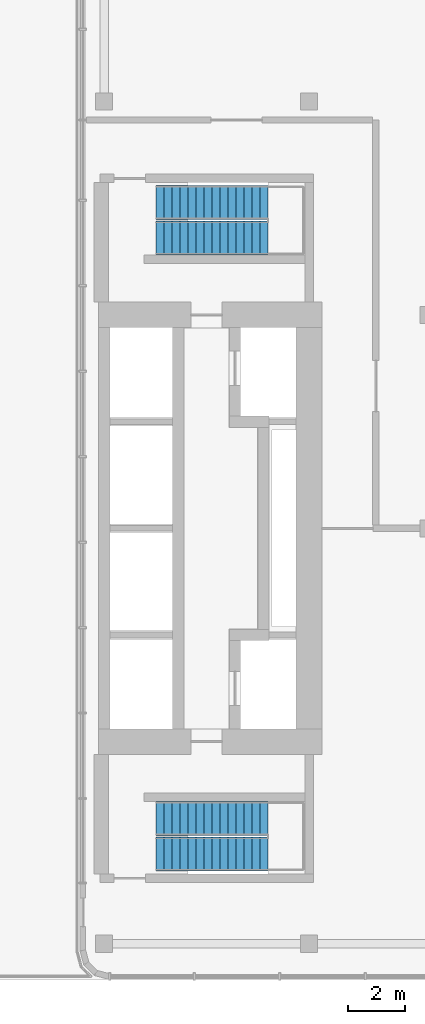
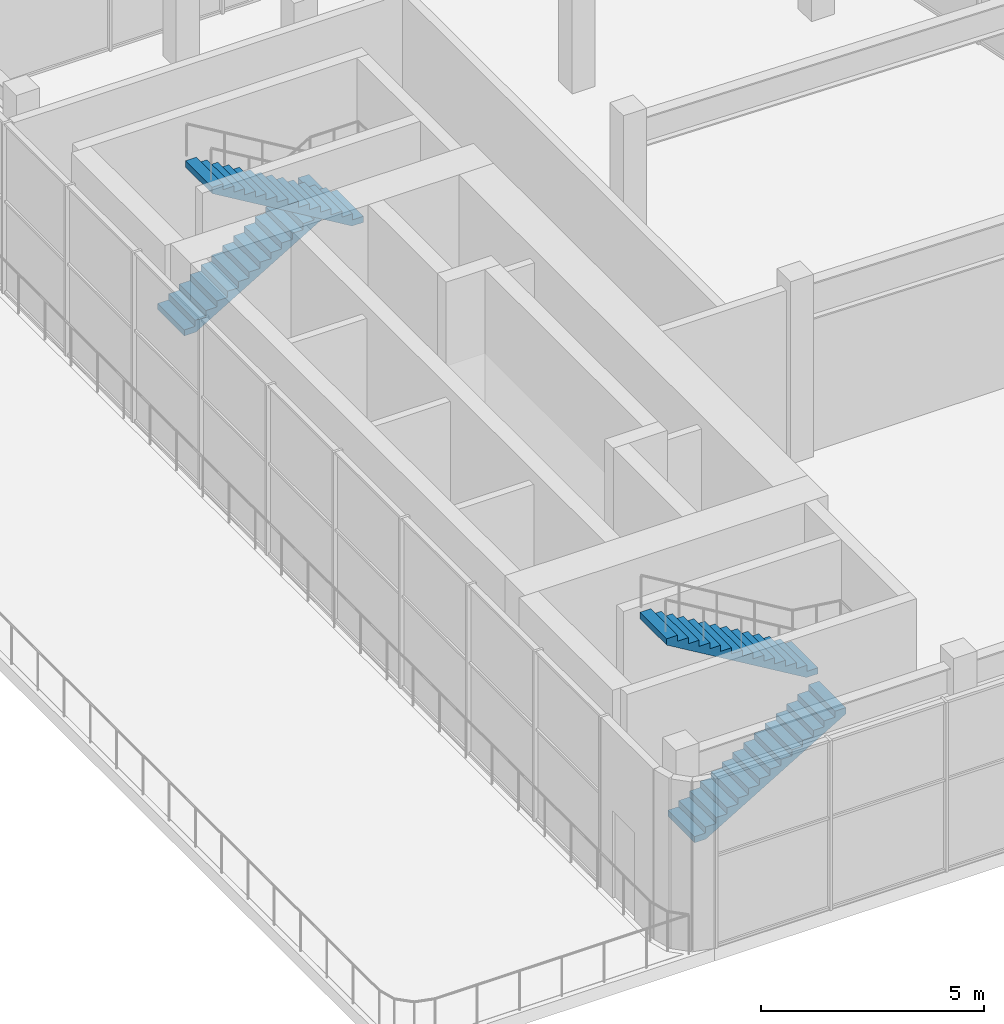
# One storey, part 7 of 8: 4 stair flights, 2 elements without a shape of their own.
"""IFC4 building model written with IfcOpenShell, lengths in metres."""

from ifc_helpers import new_model, si_unit, direction, frame, origin, place, context, subcontext, project, spatial, triangles, material, type_object, element, aggregate, save


model = new_model("IFC4")

# Units and contexts
model_context = context("Model", 3, precision=1e-05, world=origin(), true_north=direction((0.0, 1.0)))
body_context = subcontext(model_context, "Body", "Model", "MODEL_VIEW")
ifc_project = project(units=[si_unit("LENGTHUNIT", "METRE"), si_unit("AREAUNIT", "SQUARE_METRE"), si_unit("VOLUMEUNIT", "CUBIC_METRE"), si_unit("PLANEANGLEUNIT", "RADIAN"), si_unit("MASSUNIT", "GRAM", prefix="KILO")], contexts=[model_context])

# Site, building, storey
site_placement = place(None, origin())
site = spatial("IfcSite", under=ifc_project, at=site_placement, CompositionType="ELEMENT")
building_placement = place(site_placement, origin())
building = spatial("IfcBuilding", under=site, at=building_placement, Name="Sheger Commons Tower", CompositionType="ELEMENT")
storey_placement = place(building_placement, frame((0.0, 0.0, 296.60009765625)))
storey = spatial("IfcBuildingStorey", under=building, at=storey_placement, Name="L76", CompositionType="ELEMENT", Elevation=296.60009765625)

# Stair, stair flights
ifc_material_1 = material(Name="Concrete C35/45", Category="concrete")
stair_type = type_object("IfcStairType", Name="HALF-TURN STAIR 1200 RISE 5000", PredefinedType="HALF_TURN_STAIR", material=ifc_material_1)
stair_1_placement = place(storey_placement, origin())
stair_1 = element("IfcStair", 1, at=stair_1_placement, inside=storey, type_object=stair_type, Name="Stair S1 L76", PredefinedType="HALF_TURN_STAIR")
ifc_material_2 = material(Name="Concrete C35/45", Category="concrete")
stair_flight_type = type_object("IfcStairFlightType", Name="STAIR FLIGHT 1200 15 RISERS OF 167", PredefinedType="STRAIGHT", material=ifc_material_2)
stair_flight_1_placement = place(storey_placement, frame((23.429931640625, 11.050048828125, 0.0), z_axis=(0.0, 0.0, 1.0), x_axis=(1.0, 0.0, 0.0)))
stair_flight_1 = element("IfcStairFlight", 2, at=stair_flight_1_placement, type_object=stair_flight_type, Name="S1 flight 1", NumberOfRisers=15, NumberOfTreads=14, PredefinedType="STRAIGHT", RiserHeight=0.166666667, TreadLength=0.28, context=body_context, shape_type="Tessellation", body=[
    triangles([(0.0, 0.5999755859375, 0.0), (0.0, 0.5999755859375, 0.166748046875), (0.280029296875, 0.5999755859375, 0.166748046875), (0.280029296875, 0.5999755859375, 0.333251953125), (0.56005859375, 0.5999755859375, 0.333251953125), (0.56005859375, 0.5999755859375, 0.5), (0.840087890625, 0.5999755859375, 0.5), (0.840087890625, 0.5999755859375, 0.666748046875), (1.1201171875, 0.5999755859375, 0.666748046875), (1.1201171875, 0.5999755859375, 0.833251953125), (1.39990234375, 0.5999755859375, 0.833251953125), (1.39990234375, 0.5999755859375, 1.0), (1.679931640625, 0.5999755859375, 1.0), (1.679931640625, 0.5999755859375, 1.166748046875), (1.9599609375, 0.5999755859375, 1.166748046875), (1.9599609375, 0.5999755859375, 1.333251953125), (2.239990234375, 0.5999755859375, 1.333251953125), (2.239990234375, 0.5999755859375, 1.5), (2.52001953125, 0.5999755859375, 1.5), (2.52001953125, 0.5999755859375, 1.666748046875), (2.800048828125, 0.5999755859375, 1.666748046875), (2.800048828125, 0.5999755859375, 1.833251953125), (3.080078125, 0.5999755859375, 1.833251953125), (3.080078125, 0.5999755859375, 2.0), (3.360107421875, 0.5999755859375, 2.0), (3.360107421875, 0.5999755859375, 2.166748046875), (3.639892578125, 0.5999755859375, 2.166748046875), (3.639892578125, 0.5999755859375, 2.333251953125), (3.919921875, 0.5999755859375, 2.333251953125), (3.919921875, 0.5999755859375, 2.158935546875), (0.29296875, 0.5999755859375, 0.0), (0.0, -0.5999755859375, 0.0), (0.0, -0.5999755859375, 0.166748046875), (0.280029296875, -0.5999755859375, 0.166748046875), (0.280029296875, -0.5999755859375, 0.333251953125), (0.56005859375, -0.5999755859375, 0.333251953125), (0.56005859375, -0.5999755859375, 0.5), (0.840087890625, -0.5999755859375, 0.5), (0.840087890625, -0.5999755859375, 0.666748046875), (1.1201171875, -0.5999755859375, 0.666748046875), (1.1201171875, -0.5999755859375, 0.833251953125), (1.39990234375, -0.5999755859375, 0.833251953125), (1.39990234375, -0.5999755859375, 1.0), (1.679931640625, -0.5999755859375, 1.0), (1.679931640625, -0.5999755859375, 1.166748046875), (1.9599609375, -0.5999755859375, 1.166748046875), (1.9599609375, -0.5999755859375, 1.333251953125), (2.239990234375, -0.5999755859375, 1.333251953125), (2.239990234375, -0.5999755859375, 1.5), (2.52001953125, -0.5999755859375, 1.5), (2.52001953125, -0.5999755859375, 1.666748046875), (2.800048828125, -0.5999755859375, 1.666748046875), (2.800048828125, -0.5999755859375, 1.833251953125), (3.080078125, -0.5999755859375, 1.833251953125), (3.080078125, -0.5999755859375, 2.0), (3.360107421875, -0.5999755859375, 2.0), (3.360107421875, -0.5999755859375, 2.166748046875), (3.639892578125, -0.5999755859375, 2.166748046875), (3.639892578125, -0.5999755859375, 2.333251953125), (3.919921875, -0.5999755859375, 2.333251953125), (3.919921875, -0.5999755859375, 2.158935546875), (0.29296875, -0.5999755859375, 0.0), (0.0, 0.0, 0.0833740234375), (0.1400146484375, 0.0, 0.166748046875), (0.280029296875, 0.0, 0.25), (0.4200439453125, 0.0, 0.333251953125), (0.56005859375, 0.0, 0.4166259765625), (0.7000732421875, 0.0, 0.5), (0.840087890625, 0.0, 0.5833740234375), (0.9801025390625, 0.0, 0.666748046875), (1.1201171875, 0.0, 0.75), (1.260009765625, 0.0, 0.833251953125), (1.39990234375, 0.0, 0.9166259765625), (1.5399169921875, 0.0, 1.0), (1.679931640625, 0.0, 1.0833740234375), (1.8199462890625, 0.0, 1.166748046875), (1.9599609375, 0.0, 1.25), (2.0999755859375, 0.0, 1.333251953125), (2.239990234375, 0.0, 1.4166259765625), (2.3800048828125, 0.0, 1.5), (2.52001953125, 0.0, 1.5833740234375), (2.6600341796875, 0.0, 1.666748046875), (2.800048828125, 0.0, 1.75), (2.9400634765625, 0.0, 1.833251953125), (3.080078125, 0.0, 1.9166259765625), (3.2200927734375, 0.0, 2.0), (3.360107421875, 0.0, 2.0833740234375), (3.5, 0.0, 2.166748046875), (3.639892578125, 0.0, 2.25), (3.7799072265625, 0.0, 2.333251953125), (3.919921875, 0.0, 2.24609375), (2.1064453125, 0.0, 1.0794677734375), (0.146484375, 0.0, 0.0)], [[1, 30, 31], [32, 62, 61], [30, 28, 29], [61, 60, 59], [30, 27, 28], [61, 59, 58], [30, 26, 27], [61, 58, 57], [30, 25, 26], [61, 57, 56], [25, 23, 24], [56, 55, 54], [30, 23, 25], [61, 56, 54], [23, 21, 22], [54, 53, 52], [30, 21, 23], [61, 54, 52], [21, 19, 20], [52, 51, 50], [30, 19, 21], [61, 52, 50], [19, 17, 18], [50, 49, 48], [30, 17, 19], [61, 50, 48], [17, 15, 16], [48, 47, 46], [30, 15, 17], [61, 48, 46], [15, 13, 14], [46, 45, 44], [30, 13, 15], [61, 46, 44], [13, 11, 12], [44, 43, 42], [30, 11, 13], [61, 44, 42], [11, 9, 10], [42, 41, 40], [30, 9, 11], [61, 42, 40], [9, 7, 8], [40, 39, 38], [30, 7, 9], [61, 40, 38], [7, 5, 6], [38, 37, 36], [30, 5, 7], [61, 38, 36], [1, 5, 30], [32, 61, 36], [5, 3, 4], [36, 35, 34], [1, 3, 5], [32, 36, 34], [3, 1, 2], [34, 33, 32], [1, 63, 2], [2, 63, 33], [33, 63, 32], [32, 63, 1], [2, 64, 3], [3, 64, 34], [34, 64, 33], [33, 64, 2], [3, 65, 4], [4, 65, 35], [35, 65, 34], [34, 65, 3], [4, 66, 5], [5, 66, 36], [36, 66, 35], [35, 66, 4], [5, 67, 6], [6, 67, 37], [37, 67, 36], [36, 67, 5], [6, 68, 7], [7, 68, 38], [38, 68, 37], [37, 68, 6], [7, 69, 8], [8, 69, 39], [39, 69, 38], [38, 69, 7], [8, 70, 9], [9, 70, 40], [40, 70, 39], [39, 70, 8], [9, 71, 10], [10, 71, 41], [41, 71, 40], [40, 71, 9], [10, 72, 11], [11, 72, 42], [42, 72, 41], [41, 72, 10], [11, 73, 12], [12, 73, 43], [43, 73, 42], [42, 73, 11], [12, 74, 13], [13, 74, 44], [44, 74, 43], [43, 74, 12], [13, 75, 14], [14, 75, 45], [45, 75, 44], [44, 75, 13], [14, 76, 15], [15, 76, 46], [46, 76, 45], [45, 76, 14], [15, 77, 16], [16, 77, 47], [47, 77, 46], [46, 77, 15], [16, 78, 17], [17, 78, 48], [48, 78, 47], [47, 78, 16], [17, 79, 18], [18, 79, 49], [49, 79, 48], [48, 79, 17], [18, 80, 19], [19, 80, 50], [50, 80, 49], [49, 80, 18], [19, 81, 20], [20, 81, 51], [51, 81, 50], [50, 81, 19], [20, 82, 21], [21, 82, 52], [52, 82, 51], [51, 82, 20], [21, 83, 22], [22, 83, 53], [53, 83, 52], [52, 83, 21], [22, 84, 23], [23, 84, 54], [54, 84, 53], [53, 84, 22], [23, 85, 24], [24, 85, 55], [55, 85, 54], [54, 85, 23], [24, 86, 25], [25, 86, 56], [56, 86, 55], [55, 86, 24], [25, 87, 26], [26, 87, 57], [57, 87, 56], [56, 87, 25], [26, 88, 27], [27, 88, 58], [58, 88, 57], [57, 88, 26], [27, 89, 28], [28, 89, 59], [59, 89, 58], [58, 89, 27], [28, 90, 29], [29, 90, 60], [60, 90, 59], [59, 90, 28], [29, 91, 30], [30, 91, 61], [61, 91, 60], [60, 91, 29], [30, 92, 31], [31, 92, 62], [62, 92, 61], [61, 92, 30], [31, 93, 1], [1, 93, 32], [32, 93, 62], [62, 93, 31]], closed=True),
])
stair_flight_2_placement = place(storey_placement, frame((27.35009765625, 12.300048828125, 2.5), z_axis=(0.0, 0.0, 1.0), x_axis=(-1.0, 0.0, 0.0)))
stair_flight_2 = element("IfcStairFlight", 3, at=stair_flight_2_placement, type_object=stair_flight_type, Name="S1 flight 2", NumberOfRisers=15, NumberOfTreads=14, PredefinedType="STRAIGHT", RiserHeight=0.166666667, TreadLength=0.28, context=body_context, shape_type="Tessellation", body=[
    triangles([(0.0, 0.5999755859375, 0.0), (0.0, 0.5999755859375, 0.166748046875), (0.280029296875, 0.5999755859375, 0.166748046875), (0.280029296875, 0.5999755859375, 0.333251953125), (0.56005859375, 0.5999755859375, 0.333251953125), (0.56005859375, 0.5999755859375, 0.5), (0.840087890625, 0.5999755859375, 0.5), (0.840087890625, 0.5999755859375, 0.666748046875), (1.1201171875, 0.5999755859375, 0.666748046875), (1.1201171875, 0.5999755859375, 0.833251953125), (1.39990234375, 0.5999755859375, 0.833251953125), (1.39990234375, 0.5999755859375, 1.0), (1.679931640625, 0.5999755859375, 1.0), (1.679931640625, 0.5999755859375, 1.166748046875), (1.9599609375, 0.5999755859375, 1.166748046875), (1.9599609375, 0.5999755859375, 1.333251953125), (2.239990234375, 0.5999755859375, 1.333251953125), (2.239990234375, 0.5999755859375, 1.5), (2.52001953125, 0.5999755859375, 1.5), (2.52001953125, 0.5999755859375, 1.666748046875), (2.800048828125, 0.5999755859375, 1.666748046875), (2.800048828125, 0.5999755859375, 1.833251953125), (3.080078125, 0.5999755859375, 1.833251953125), (3.080078125, 0.5999755859375, 2.0), (3.360107421875, 0.5999755859375, 2.0), (3.360107421875, 0.5999755859375, 2.166748046875), (3.639892578125, 0.5999755859375, 2.166748046875), (3.639892578125, 0.5999755859375, 2.333251953125), (3.919921875, 0.5999755859375, 2.333251953125), (3.919921875, 0.5999755859375, 2.158935546875), (0.29296875, 0.5999755859375, 0.0), (0.0, -0.5999755859375, 0.0), (0.0, -0.5999755859375, 0.166748046875), (0.280029296875, -0.5999755859375, 0.166748046875), (0.280029296875, -0.5999755859375, 0.333251953125), (0.56005859375, -0.5999755859375, 0.333251953125), (0.56005859375, -0.5999755859375, 0.5), (0.840087890625, -0.5999755859375, 0.5), (0.840087890625, -0.5999755859375, 0.666748046875), (1.1201171875, -0.5999755859375, 0.666748046875), (1.1201171875, -0.5999755859375, 0.833251953125), (1.39990234375, -0.5999755859375, 0.833251953125), (1.39990234375, -0.5999755859375, 1.0), (1.679931640625, -0.5999755859375, 1.0), (1.679931640625, -0.5999755859375, 1.166748046875), (1.9599609375, -0.5999755859375, 1.166748046875), (1.9599609375, -0.5999755859375, 1.333251953125), (2.239990234375, -0.5999755859375, 1.333251953125), (2.239990234375, -0.5999755859375, 1.5), (2.52001953125, -0.5999755859375, 1.5), (2.52001953125, -0.5999755859375, 1.666748046875), (2.800048828125, -0.5999755859375, 1.666748046875), (2.800048828125, -0.5999755859375, 1.833251953125), (3.080078125, -0.5999755859375, 1.833251953125), (3.080078125, -0.5999755859375, 2.0), (3.360107421875, -0.5999755859375, 2.0), (3.360107421875, -0.5999755859375, 2.166748046875), (3.639892578125, -0.5999755859375, 2.166748046875), (3.639892578125, -0.5999755859375, 2.333251953125), (3.919921875, -0.5999755859375, 2.333251953125), (3.919921875, -0.5999755859375, 2.158935546875), (0.29296875, -0.5999755859375, 0.0), (0.0, 0.0, 0.0833740234375), (0.1400146484375, 0.0, 0.166748046875), (0.280029296875, 0.0, 0.25), (0.4200439453125, 0.0, 0.333251953125), (0.56005859375, 0.0, 0.4166259765625), (0.7000732421875, 0.0, 0.5), (0.840087890625, 0.0, 0.5833740234375), (0.9801025390625, 0.0, 0.666748046875), (1.1201171875, 0.0, 0.75), (1.260009765625, 0.0, 0.833251953125), (1.39990234375, 0.0, 0.9166259765625), (1.5399169921875, 0.0, 1.0), (1.679931640625, 0.0, 1.0833740234375), (1.8199462890625, 0.0, 1.166748046875), (1.9599609375, 0.0, 1.25), (2.0999755859375, 0.0, 1.333251953125), (2.239990234375, 0.0, 1.4166259765625), (2.3800048828125, 0.0, 1.5), (2.52001953125, 0.0, 1.5833740234375), (2.6600341796875, 0.0, 1.666748046875), (2.800048828125, 0.0, 1.75), (2.9400634765625, 0.0, 1.833251953125), (3.080078125, 0.0, 1.9166259765625), (3.2200927734375, 0.0, 2.0), (3.360107421875, 0.0, 2.0833740234375), (3.5, 0.0, 2.166748046875), (3.639892578125, 0.0, 2.25), (3.7799072265625, 0.0, 2.333251953125), (3.919921875, 0.0, 2.24609375), (2.1064453125, 0.0, 1.0794677734375), (0.146484375, 0.0, 0.0)], [[1, 30, 31], [32, 62, 61], [30, 28, 29], [61, 60, 59], [30, 27, 28], [61, 59, 58], [30, 26, 27], [61, 58, 57], [30, 25, 26], [61, 57, 56], [25, 23, 24], [56, 55, 54], [30, 23, 25], [61, 56, 54], [23, 21, 22], [54, 53, 52], [30, 21, 23], [61, 54, 52], [21, 19, 20], [52, 51, 50], [30, 19, 21], [61, 52, 50], [19, 17, 18], [50, 49, 48], [30, 17, 19], [61, 50, 48], [17, 15, 16], [48, 47, 46], [30, 15, 17], [61, 48, 46], [15, 13, 14], [46, 45, 44], [30, 13, 15], [61, 46, 44], [13, 11, 12], [44, 43, 42], [30, 11, 13], [61, 44, 42], [11, 9, 10], [42, 41, 40], [30, 9, 11], [61, 42, 40], [9, 7, 8], [40, 39, 38], [30, 7, 9], [61, 40, 38], [7, 5, 6], [38, 37, 36], [30, 5, 7], [61, 38, 36], [1, 5, 30], [32, 61, 36], [5, 3, 4], [36, 35, 34], [1, 3, 5], [32, 36, 34], [3, 1, 2], [34, 33, 32], [1, 63, 2], [2, 63, 33], [33, 63, 32], [32, 63, 1], [2, 64, 3], [3, 64, 34], [34, 64, 33], [33, 64, 2], [3, 65, 4], [4, 65, 35], [35, 65, 34], [34, 65, 3], [4, 66, 5], [5, 66, 36], [36, 66, 35], [35, 66, 4], [5, 67, 6], [6, 67, 37], [37, 67, 36], [36, 67, 5], [6, 68, 7], [7, 68, 38], [38, 68, 37], [37, 68, 6], [7, 69, 8], [8, 69, 39], [39, 69, 38], [38, 69, 7], [8, 70, 9], [9, 70, 40], [40, 70, 39], [39, 70, 8], [9, 71, 10], [10, 71, 41], [41, 71, 40], [40, 71, 9], [10, 72, 11], [11, 72, 42], [42, 72, 41], [41, 72, 10], [11, 73, 12], [12, 73, 43], [43, 73, 42], [42, 73, 11], [12, 74, 13], [13, 74, 44], [44, 74, 43], [43, 74, 12], [13, 75, 14], [14, 75, 45], [45, 75, 44], [44, 75, 13], [14, 76, 15], [15, 76, 46], [46, 76, 45], [45, 76, 14], [15, 77, 16], [16, 77, 47], [47, 77, 46], [46, 77, 15], [16, 78, 17], [17, 78, 48], [48, 78, 47], [47, 78, 16], [17, 79, 18], [18, 79, 49], [49, 79, 48], [48, 79, 17], [18, 80, 19], [19, 80, 50], [50, 80, 49], [49, 80, 18], [19, 81, 20], [20, 81, 51], [51, 81, 50], [50, 81, 19], [20, 82, 21], [21, 82, 52], [52, 82, 51], [51, 82, 20], [21, 83, 22], [22, 83, 53], [53, 83, 52], [52, 83, 21], [22, 84, 23], [23, 84, 54], [54, 84, 53], [53, 84, 22], [23, 85, 24], [24, 85, 55], [55, 85, 54], [54, 85, 23], [24, 86, 25], [25, 86, 56], [56, 86, 55], [55, 86, 24], [25, 87, 26], [26, 87, 57], [57, 87, 56], [56, 87, 25], [26, 88, 27], [27, 88, 58], [58, 88, 57], [57, 88, 26], [27, 89, 28], [28, 89, 59], [59, 89, 58], [58, 89, 27], [28, 90, 29], [29, 90, 60], [60, 90, 59], [59, 90, 28], [29, 91, 30], [30, 91, 61], [61, 91, 60], [60, 91, 29], [30, 92, 31], [31, 92, 62], [62, 92, 61], [61, 92, 30], [31, 93, 1], [1, 93, 32], [32, 93, 62], [62, 93, 31]], closed=True),
])
aggregate(stair_1, [stair_flight_1, stair_flight_2])

stair_2_placement = place(storey_placement, origin())
stair_2 = element("IfcStair", 4, at=stair_2_placement, inside=storey, type_object=stair_type, Name="Stair S2 L76", PredefinedType="HALF_TURN_STAIR")
stair_flight_3_placement = place(storey_placement, frame((23.429931640625, 33.949951171875, 0.0), z_axis=(0.0, 0.0, 1.0), x_axis=(1.0, 0.0, 0.0)))
stair_flight_3 = element("IfcStairFlight", 5, at=stair_flight_3_placement, type_object=stair_flight_type, Name="S2 flight 1", NumberOfRisers=15, NumberOfTreads=14, PredefinedType="STRAIGHT", RiserHeight=0.166666667, TreadLength=0.28, context=body_context, shape_type="Tessellation", body=[
    triangles([(0.0, 0.5999755859375, 0.0), (0.0, 0.5999755859375, 0.166748046875), (0.280029296875, 0.5999755859375, 0.166748046875), (0.280029296875, 0.5999755859375, 0.333251953125), (0.56005859375, 0.5999755859375, 0.333251953125), (0.56005859375, 0.5999755859375, 0.5), (0.840087890625, 0.5999755859375, 0.5), (0.840087890625, 0.5999755859375, 0.666748046875), (1.1201171875, 0.5999755859375, 0.666748046875), (1.1201171875, 0.5999755859375, 0.833251953125), (1.39990234375, 0.5999755859375, 0.833251953125), (1.39990234375, 0.5999755859375, 1.0), (1.679931640625, 0.5999755859375, 1.0), (1.679931640625, 0.5999755859375, 1.166748046875), (1.9599609375, 0.5999755859375, 1.166748046875), (1.9599609375, 0.5999755859375, 1.333251953125), (2.239990234375, 0.5999755859375, 1.333251953125), (2.239990234375, 0.5999755859375, 1.5), (2.52001953125, 0.5999755859375, 1.5), (2.52001953125, 0.5999755859375, 1.666748046875), (2.800048828125, 0.5999755859375, 1.666748046875), (2.800048828125, 0.5999755859375, 1.833251953125), (3.080078125, 0.5999755859375, 1.833251953125), (3.080078125, 0.5999755859375, 2.0), (3.360107421875, 0.5999755859375, 2.0), (3.360107421875, 0.5999755859375, 2.166748046875), (3.639892578125, 0.5999755859375, 2.166748046875), (3.639892578125, 0.5999755859375, 2.333251953125), (3.919921875, 0.5999755859375, 2.333251953125), (3.919921875, 0.5999755859375, 2.158935546875), (0.29296875, 0.5999755859375, 0.0), (0.0, -0.5999755859375, 0.0), (0.0, -0.5999755859375, 0.166748046875), (0.280029296875, -0.5999755859375, 0.166748046875), (0.280029296875, -0.5999755859375, 0.333251953125), (0.56005859375, -0.5999755859375, 0.333251953125), (0.56005859375, -0.5999755859375, 0.5), (0.840087890625, -0.5999755859375, 0.5), (0.840087890625, -0.5999755859375, 0.666748046875), (1.1201171875, -0.5999755859375, 0.666748046875), (1.1201171875, -0.5999755859375, 0.833251953125), (1.39990234375, -0.5999755859375, 0.833251953125), (1.39990234375, -0.5999755859375, 1.0), (1.679931640625, -0.5999755859375, 1.0), (1.679931640625, -0.5999755859375, 1.166748046875), (1.9599609375, -0.5999755859375, 1.166748046875), (1.9599609375, -0.5999755859375, 1.333251953125), (2.239990234375, -0.5999755859375, 1.333251953125), (2.239990234375, -0.5999755859375, 1.5), (2.52001953125, -0.5999755859375, 1.5), (2.52001953125, -0.5999755859375, 1.666748046875), (2.800048828125, -0.5999755859375, 1.666748046875), (2.800048828125, -0.5999755859375, 1.833251953125), (3.080078125, -0.5999755859375, 1.833251953125), (3.080078125, -0.5999755859375, 2.0), (3.360107421875, -0.5999755859375, 2.0), (3.360107421875, -0.5999755859375, 2.166748046875), (3.639892578125, -0.5999755859375, 2.166748046875), (3.639892578125, -0.5999755859375, 2.333251953125), (3.919921875, -0.5999755859375, 2.333251953125), (3.919921875, -0.5999755859375, 2.158935546875), (0.29296875, -0.5999755859375, 0.0), (0.0, 0.0, 0.0833740234375), (0.1400146484375, 0.0, 0.166748046875), (0.280029296875, 0.0, 0.25), (0.4200439453125, 0.0, 0.333251953125), (0.56005859375, 0.0, 0.4166259765625), (0.7000732421875, 0.0, 0.5), (0.840087890625, 0.0, 0.5833740234375), (0.9801025390625, 0.0, 0.666748046875), (1.1201171875, 0.0, 0.75), (1.260009765625, 0.0, 0.833251953125), (1.39990234375, 0.0, 0.9166259765625), (1.5399169921875, 0.0, 1.0), (1.679931640625, 0.0, 1.0833740234375), (1.8199462890625, 0.0, 1.166748046875), (1.9599609375, 0.0, 1.25), (2.0999755859375, 0.0, 1.333251953125), (2.239990234375, 0.0, 1.4166259765625), (2.3800048828125, 0.0, 1.5), (2.52001953125, 0.0, 1.5833740234375), (2.6600341796875, 0.0, 1.666748046875), (2.800048828125, 0.0, 1.75), (2.9400634765625, 0.0, 1.833251953125), (3.080078125, 0.0, 1.9166259765625), (3.2200927734375, 0.0, 2.0), (3.360107421875, 0.0, 2.0833740234375), (3.5, 0.0, 2.166748046875), (3.639892578125, 0.0, 2.25), (3.7799072265625, 0.0, 2.333251953125), (3.919921875, 0.0, 2.24609375), (2.1064453125, 0.0, 1.0794677734375), (0.146484375, 0.0, 0.0)], [[1, 30, 31], [32, 62, 61], [30, 28, 29], [61, 60, 59], [30, 27, 28], [61, 59, 58], [30, 26, 27], [61, 58, 57], [30, 25, 26], [61, 57, 56], [25, 23, 24], [56, 55, 54], [30, 23, 25], [61, 56, 54], [23, 21, 22], [54, 53, 52], [30, 21, 23], [61, 54, 52], [21, 19, 20], [52, 51, 50], [30, 19, 21], [61, 52, 50], [19, 17, 18], [50, 49, 48], [30, 17, 19], [61, 50, 48], [17, 15, 16], [48, 47, 46], [30, 15, 17], [61, 48, 46], [15, 13, 14], [46, 45, 44], [30, 13, 15], [61, 46, 44], [13, 11, 12], [44, 43, 42], [30, 11, 13], [61, 44, 42], [11, 9, 10], [42, 41, 40], [30, 9, 11], [61, 42, 40], [9, 7, 8], [40, 39, 38], [30, 7, 9], [61, 40, 38], [7, 5, 6], [38, 37, 36], [30, 5, 7], [61, 38, 36], [1, 5, 30], [32, 61, 36], [5, 3, 4], [36, 35, 34], [1, 3, 5], [32, 36, 34], [3, 1, 2], [34, 33, 32], [1, 63, 2], [2, 63, 33], [33, 63, 32], [32, 63, 1], [2, 64, 3], [3, 64, 34], [34, 64, 33], [33, 64, 2], [3, 65, 4], [4, 65, 35], [35, 65, 34], [34, 65, 3], [4, 66, 5], [5, 66, 36], [36, 66, 35], [35, 66, 4], [5, 67, 6], [6, 67, 37], [37, 67, 36], [36, 67, 5], [6, 68, 7], [7, 68, 38], [38, 68, 37], [37, 68, 6], [7, 69, 8], [8, 69, 39], [39, 69, 38], [38, 69, 7], [8, 70, 9], [9, 70, 40], [40, 70, 39], [39, 70, 8], [9, 71, 10], [10, 71, 41], [41, 71, 40], [40, 71, 9], [10, 72, 11], [11, 72, 42], [42, 72, 41], [41, 72, 10], [11, 73, 12], [12, 73, 43], [43, 73, 42], [42, 73, 11], [12, 74, 13], [13, 74, 44], [44, 74, 43], [43, 74, 12], [13, 75, 14], [14, 75, 45], [45, 75, 44], [44, 75, 13], [14, 76, 15], [15, 76, 46], [46, 76, 45], [45, 76, 14], [15, 77, 16], [16, 77, 47], [47, 77, 46], [46, 77, 15], [16, 78, 17], [17, 78, 48], [48, 78, 47], [47, 78, 16], [17, 79, 18], [18, 79, 49], [49, 79, 48], [48, 79, 17], [18, 80, 19], [19, 80, 50], [50, 80, 49], [49, 80, 18], [19, 81, 20], [20, 81, 51], [51, 81, 50], [50, 81, 19], [20, 82, 21], [21, 82, 52], [52, 82, 51], [51, 82, 20], [21, 83, 22], [22, 83, 53], [53, 83, 52], [52, 83, 21], [22, 84, 23], [23, 84, 54], [54, 84, 53], [53, 84, 22], [23, 85, 24], [24, 85, 55], [55, 85, 54], [54, 85, 23], [24, 86, 25], [25, 86, 56], [56, 86, 55], [55, 86, 24], [25, 87, 26], [26, 87, 57], [57, 87, 56], [56, 87, 25], [26, 88, 27], [27, 88, 58], [58, 88, 57], [57, 88, 26], [27, 89, 28], [28, 89, 59], [59, 89, 58], [58, 89, 27], [28, 90, 29], [29, 90, 60], [60, 90, 59], [59, 90, 28], [29, 91, 30], [30, 91, 61], [61, 91, 60], [60, 91, 29], [30, 92, 31], [31, 92, 62], [62, 92, 61], [61, 92, 30], [31, 93, 1], [1, 93, 32], [32, 93, 62], [62, 93, 31]], closed=True),
])
stair_flight_4_placement = place(storey_placement, frame((27.35009765625, 32.699951171875, 2.5), z_axis=(0.0, 0.0, 1.0), x_axis=(-1.0, 0.0, 0.0)))
stair_flight_4 = element("IfcStairFlight", 6, at=stair_flight_4_placement, type_object=stair_flight_type, Name="S2 flight 2", NumberOfRisers=15, NumberOfTreads=14, PredefinedType="STRAIGHT", RiserHeight=0.166666667, TreadLength=0.28, context=body_context, shape_type="Tessellation", body=[
    triangles([(0.0, 0.5999755859375, 0.0), (0.0, 0.5999755859375, 0.166748046875), (0.280029296875, 0.5999755859375, 0.166748046875), (0.280029296875, 0.5999755859375, 0.333251953125), (0.56005859375, 0.5999755859375, 0.333251953125), (0.56005859375, 0.5999755859375, 0.5), (0.840087890625, 0.5999755859375, 0.5), (0.840087890625, 0.5999755859375, 0.666748046875), (1.1201171875, 0.5999755859375, 0.666748046875), (1.1201171875, 0.5999755859375, 0.833251953125), (1.39990234375, 0.5999755859375, 0.833251953125), (1.39990234375, 0.5999755859375, 1.0), (1.679931640625, 0.5999755859375, 1.0), (1.679931640625, 0.5999755859375, 1.166748046875), (1.9599609375, 0.5999755859375, 1.166748046875), (1.9599609375, 0.5999755859375, 1.333251953125), (2.239990234375, 0.5999755859375, 1.333251953125), (2.239990234375, 0.5999755859375, 1.5), (2.52001953125, 0.5999755859375, 1.5), (2.52001953125, 0.5999755859375, 1.666748046875), (2.800048828125, 0.5999755859375, 1.666748046875), (2.800048828125, 0.5999755859375, 1.833251953125), (3.080078125, 0.5999755859375, 1.833251953125), (3.080078125, 0.5999755859375, 2.0), (3.360107421875, 0.5999755859375, 2.0), (3.360107421875, 0.5999755859375, 2.166748046875), (3.639892578125, 0.5999755859375, 2.166748046875), (3.639892578125, 0.5999755859375, 2.333251953125), (3.919921875, 0.5999755859375, 2.333251953125), (3.919921875, 0.5999755859375, 2.158935546875), (0.29296875, 0.5999755859375, 0.0), (0.0, -0.5999755859375, 0.0), (0.0, -0.5999755859375, 0.166748046875), (0.280029296875, -0.5999755859375, 0.166748046875), (0.280029296875, -0.5999755859375, 0.333251953125), (0.56005859375, -0.5999755859375, 0.333251953125), (0.56005859375, -0.5999755859375, 0.5), (0.840087890625, -0.5999755859375, 0.5), (0.840087890625, -0.5999755859375, 0.666748046875), (1.1201171875, -0.5999755859375, 0.666748046875), (1.1201171875, -0.5999755859375, 0.833251953125), (1.39990234375, -0.5999755859375, 0.833251953125), (1.39990234375, -0.5999755859375, 1.0), (1.679931640625, -0.5999755859375, 1.0), (1.679931640625, -0.5999755859375, 1.166748046875), (1.9599609375, -0.5999755859375, 1.166748046875), (1.9599609375, -0.5999755859375, 1.333251953125), (2.239990234375, -0.5999755859375, 1.333251953125), (2.239990234375, -0.5999755859375, 1.5), (2.52001953125, -0.5999755859375, 1.5), (2.52001953125, -0.5999755859375, 1.666748046875), (2.800048828125, -0.5999755859375, 1.666748046875), (2.800048828125, -0.5999755859375, 1.833251953125), (3.080078125, -0.5999755859375, 1.833251953125), (3.080078125, -0.5999755859375, 2.0), (3.360107421875, -0.5999755859375, 2.0), (3.360107421875, -0.5999755859375, 2.166748046875), (3.639892578125, -0.5999755859375, 2.166748046875), (3.639892578125, -0.5999755859375, 2.333251953125), (3.919921875, -0.5999755859375, 2.333251953125), (3.919921875, -0.5999755859375, 2.158935546875), (0.29296875, -0.5999755859375, 0.0), (0.0, 0.0, 0.0833740234375), (0.1400146484375, 0.0, 0.166748046875), (0.280029296875, 0.0, 0.25), (0.4200439453125, 0.0, 0.333251953125), (0.56005859375, 0.0, 0.4166259765625), (0.7000732421875, 0.0, 0.5), (0.840087890625, 0.0, 0.5833740234375), (0.9801025390625, 0.0, 0.666748046875), (1.1201171875, 0.0, 0.75), (1.260009765625, 0.0, 0.833251953125), (1.39990234375, 0.0, 0.9166259765625), (1.5399169921875, 0.0, 1.0), (1.679931640625, 0.0, 1.0833740234375), (1.8199462890625, 0.0, 1.166748046875), (1.9599609375, 0.0, 1.25), (2.0999755859375, 0.0, 1.333251953125), (2.239990234375, 0.0, 1.4166259765625), (2.3800048828125, 0.0, 1.5), (2.52001953125, 0.0, 1.5833740234375), (2.6600341796875, 0.0, 1.666748046875), (2.800048828125, 0.0, 1.75), (2.9400634765625, 0.0, 1.833251953125), (3.080078125, 0.0, 1.9166259765625), (3.2200927734375, 0.0, 2.0), (3.360107421875, 0.0, 2.0833740234375), (3.5, 0.0, 2.166748046875), (3.639892578125, 0.0, 2.25), (3.7799072265625, 0.0, 2.333251953125), (3.919921875, 0.0, 2.24609375), (2.1064453125, 0.0, 1.0794677734375), (0.146484375, 0.0, 0.0)], [[1, 30, 31], [32, 62, 61], [30, 28, 29], [61, 60, 59], [30, 27, 28], [61, 59, 58], [30, 26, 27], [61, 58, 57], [30, 25, 26], [61, 57, 56], [25, 23, 24], [56, 55, 54], [30, 23, 25], [61, 56, 54], [23, 21, 22], [54, 53, 52], [30, 21, 23], [61, 54, 52], [21, 19, 20], [52, 51, 50], [30, 19, 21], [61, 52, 50], [19, 17, 18], [50, 49, 48], [30, 17, 19], [61, 50, 48], [17, 15, 16], [48, 47, 46], [30, 15, 17], [61, 48, 46], [15, 13, 14], [46, 45, 44], [30, 13, 15], [61, 46, 44], [13, 11, 12], [44, 43, 42], [30, 11, 13], [61, 44, 42], [11, 9, 10], [42, 41, 40], [30, 9, 11], [61, 42, 40], [9, 7, 8], [40, 39, 38], [30, 7, 9], [61, 40, 38], [7, 5, 6], [38, 37, 36], [30, 5, 7], [61, 38, 36], [1, 5, 30], [32, 61, 36], [5, 3, 4], [36, 35, 34], [1, 3, 5], [32, 36, 34], [3, 1, 2], [34, 33, 32], [1, 63, 2], [2, 63, 33], [33, 63, 32], [32, 63, 1], [2, 64, 3], [3, 64, 34], [34, 64, 33], [33, 64, 2], [3, 65, 4], [4, 65, 35], [35, 65, 34], [34, 65, 3], [4, 66, 5], [5, 66, 36], [36, 66, 35], [35, 66, 4], [5, 67, 6], [6, 67, 37], [37, 67, 36], [36, 67, 5], [6, 68, 7], [7, 68, 38], [38, 68, 37], [37, 68, 6], [7, 69, 8], [8, 69, 39], [39, 69, 38], [38, 69, 7], [8, 70, 9], [9, 70, 40], [40, 70, 39], [39, 70, 8], [9, 71, 10], [10, 71, 41], [41, 71, 40], [40, 71, 9], [10, 72, 11], [11, 72, 42], [42, 72, 41], [41, 72, 10], [11, 73, 12], [12, 73, 43], [43, 73, 42], [42, 73, 11], [12, 74, 13], [13, 74, 44], [44, 74, 43], [43, 74, 12], [13, 75, 14], [14, 75, 45], [45, 75, 44], [44, 75, 13], [14, 76, 15], [15, 76, 46], [46, 76, 45], [45, 76, 14], [15, 77, 16], [16, 77, 47], [47, 77, 46], [46, 77, 15], [16, 78, 17], [17, 78, 48], [48, 78, 47], [47, 78, 16], [17, 79, 18], [18, 79, 49], [49, 79, 48], [48, 79, 17], [18, 80, 19], [19, 80, 50], [50, 80, 49], [49, 80, 18], [19, 81, 20], [20, 81, 51], [51, 81, 50], [50, 81, 19], [20, 82, 21], [21, 82, 52], [52, 82, 51], [51, 82, 20], [21, 83, 22], [22, 83, 53], [53, 83, 52], [52, 83, 21], [22, 84, 23], [23, 84, 54], [54, 84, 53], [53, 84, 22], [23, 85, 24], [24, 85, 55], [55, 85, 54], [54, 85, 23], [24, 86, 25], [25, 86, 56], [56, 86, 55], [55, 86, 24], [25, 87, 26], [26, 87, 57], [57, 87, 56], [56, 87, 25], [26, 88, 27], [27, 88, 58], [58, 88, 57], [57, 88, 26], [27, 89, 28], [28, 89, 59], [59, 89, 58], [58, 89, 27], [28, 90, 29], [29, 90, 60], [60, 90, 59], [59, 90, 28], [29, 91, 30], [30, 91, 61], [61, 91, 60], [60, 91, 29], [30, 92, 31], [31, 92, 62], [62, 92, 61], [61, 92, 30], [31, 93, 1], [1, 93, 32], [32, 93, 62], [62, 93, 31]], closed=True),
])
aggregate(stair_2, [stair_flight_3, stair_flight_4])

save(model, "model.ifc")
